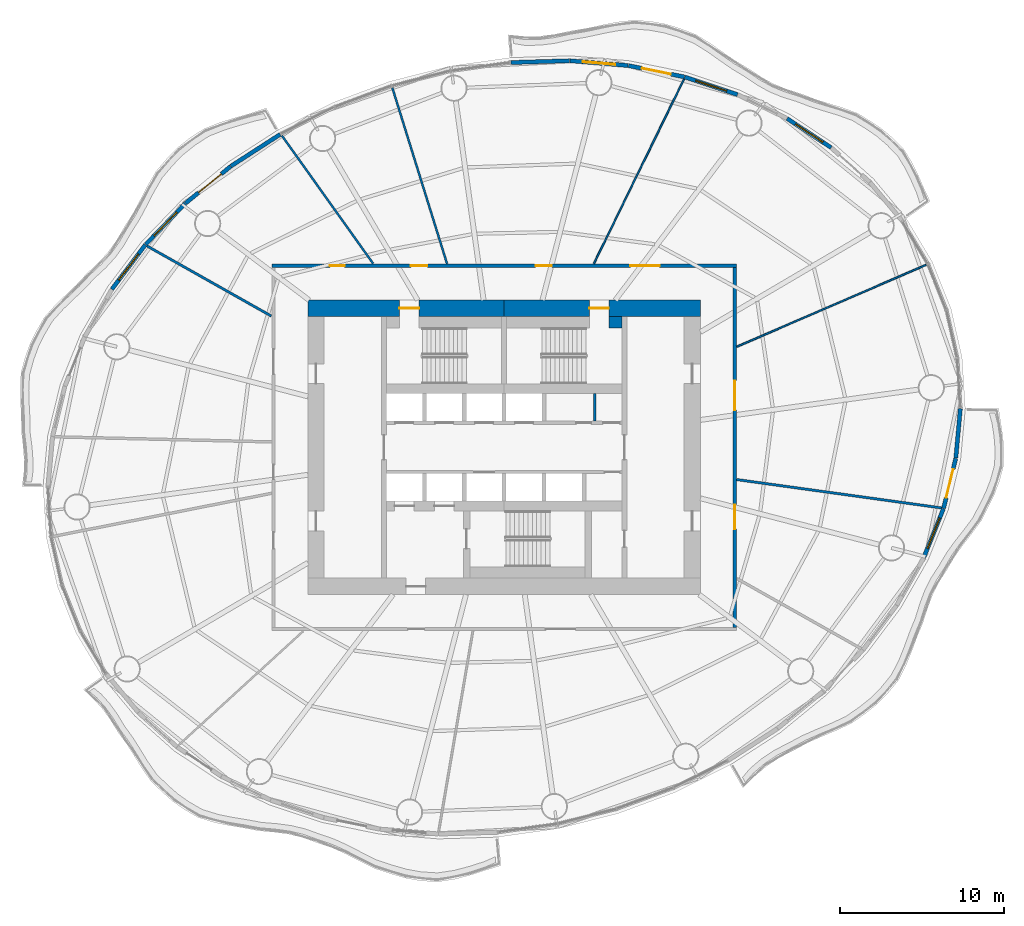
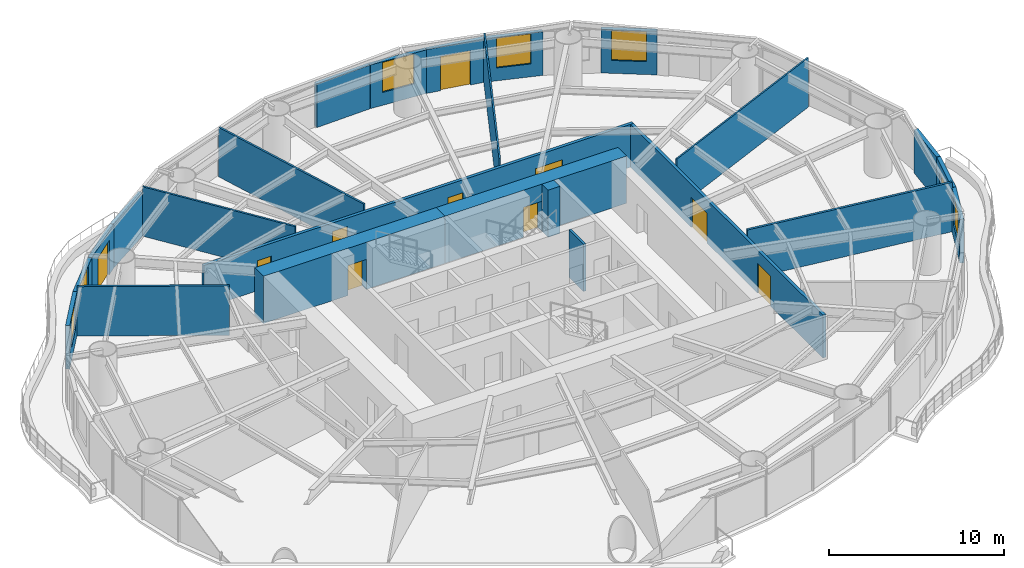
# One storey, part 10 of 16: 24 walls, 11 doors, 6 windows, 17 openings.
"""IFC4 building model written with IfcOpenShell, lengths in metres."""

from ifc_helpers import new_model, si_unit, direction, frame, frame_2d, origin, place, context, subcontext, project, spatial, rectangle, extrude, material, layer, layer_set, type_object, element, fill, save


model = new_model("IFC4")

# Units and contexts
model_context = context("Model", 3, precision=1e-05, world=origin(), true_north=direction((0.0, 1.0)))
body_context = subcontext(model_context, "Body", "Model", "MODEL_VIEW")
ifc_project = project(units=[si_unit("LENGTHUNIT", "METRE"), si_unit("AREAUNIT", "SQUARE_METRE"), si_unit("VOLUMEUNIT", "CUBIC_METRE"), si_unit("PLANEANGLEUNIT", "RADIAN"), si_unit("MASSUNIT", "GRAM", prefix="KILO")], contexts=[model_context])

# Site, building, storey
site_placement = place(None, origin())
site = spatial("IfcSite", under=ifc_project, at=site_placement, CompositionType="ELEMENT")
building_placement = place(site_placement, origin())
building = spatial("IfcBuilding", under=site, at=building_placement, Name="Vermilion Reach Broadcast Tower", CompositionType="ELEMENT")
storey_placement = place(building_placement, frame((0.0, 0.0, 103.0)))
storey = spatial("IfcBuildingStorey", under=building, at=storey_placement, Name="L23", CompositionType="ELEMENT", Elevation=103.0)

# Wall, opening, door
ifc_material_1 = material(Name="Concrete C70", Category="concrete")
ifc_layer_1 = layer(ifc_material_1, 1.0)
ifc_layer_set_1 = layer_set([ifc_layer_1], Name="Core outer wall 1000 mm Concrete C70")
wall_type_1 = type_object("IfcWallType", Name="Core outer wall 1000 mm Concrete C70", PredefinedType="SHEAR", material=ifc_layer_set_1)
wall_1_placement = place(storey_placement, frame((6.0, 8.5, 0.0), z_axis=(0.0, 0.0, 1.0), x_axis=(-1.0, 0.0, 0.0)))
wall_1 = element("IfcWall", 1, at=wall_1_placement, inside=storey, type_object=wall_type_1, Name="L23 core wall onE", PredefinedType="SHEAR", context=body_context, shape_type="SweptSolid", body=[
    extrude(rectangle(XDim=12.0, YDim=1.0, at=frame_2d((6.0, 0.0))), origin(), (0.0, 0.0, 1.0), 3.300048828125),
])
opening_1_placement = place(wall_1_placement, frame((5.60009765625, 0.0, 0.0)))
opening_1 = element("IfcOpeningElement", 2, at=opening_1_placement, cuts=wall_1, Name="Opening D01", PredefinedType="OPENING", context=body_context, shape_type="SweptSolid", body=[
    extrude(rectangle(XDim=1.199951171875, YDim=2.10009765625, at=frame_2d((0.60009765625, 1.050048828125))), frame((0.0, 0.510009765625, 0.0), z_axis=(0.0, -1.0, 0.0), x_axis=(1.0, 0.0, 0.0)), (0.0, 0.0, 1.0), 1.02001953125),
])
ifc_material_2 = material(Name="Painted steel fire door", Category="steel")
door_type_1 = type_object("IfcDoorType", Name="Stair door 1200 x 2100", OperationType="DOUBLE_DOOR_SINGLE_SWING", PredefinedType="NOTDEFINED", material=ifc_material_2)
door_1_placement = place(opening_1_placement, origin())
door_1 = element("IfcDoor", 3, at=door_1_placement, inside=storey, type_object=door_type_1, Name="L23 stair door ST2", OperationType="DOUBLE_DOOR_SINGLE_SWING", OverallHeight=2.10009765625, OverallWidth=1.199951171875, PredefinedType="NOTDEFINED", context=body_context, shape_type="SweptSolid", body=[
    extrude(rectangle(XDim=1.199951171875, YDim=2.10009765625, at=frame_2d((0.60009765625, 1.050048828125))), frame((0.0, 0.02490234375, 0.0), z_axis=(0.0, -1.0, 0.0), x_axis=(1.0, 0.0, 0.0)), (0.0, 0.0, 1.0), 0.050048828125),
])
fill(opening_1, door_1)

wall_2_placement = place(storey_placement, frame((-6.0, 8.5, 0.0), z_axis=(0.0, 0.0, 1.0), x_axis=(-1.0, 0.0, 0.0)))
wall_2 = element("IfcWall", 4, at=wall_2_placement, inside=storey, type_object=wall_type_1, Name="L23 core wall onW", PredefinedType="SHEAR", context=body_context, shape_type="SweptSolid", body=[
    extrude(rectangle(XDim=12.0, YDim=1.0, at=frame_2d((6.0, 0.0))), origin(), (0.0, 0.0, 1.0), 3.300048828125),
])
opening_2_placement = place(wall_2_placement, frame((5.199951171875, 0.0, 0.0)))
opening_2 = element("IfcOpeningElement", 5, at=opening_2_placement, cuts=wall_2, Name="Opening D01", PredefinedType="OPENING", context=body_context, shape_type="SweptSolid", body=[
    extrude(rectangle(XDim=1.199951171875, YDim=2.10009765625, at=frame_2d((0.60009765625, 1.050048828125))), frame((0.0, 0.510009765625, 0.0), z_axis=(0.0, -1.0, 0.0), x_axis=(1.0, 0.0, 0.0)), (0.0, 0.0, 1.0), 1.02001953125),
])
door_2_placement = place(opening_2_placement, origin())
door_2 = element("IfcDoor", 6, at=door_2_placement, inside=storey, type_object=door_type_1, Name="L23 stair door ST1", OperationType="DOUBLE_DOOR_SINGLE_SWING", OverallHeight=2.10009765625, OverallWidth=1.199951171875, PredefinedType="NOTDEFINED", context=body_context, shape_type="SweptSolid", body=[
    extrude(rectangle(XDim=1.199951171875, YDim=2.10009765625, at=frame_2d((0.60009765625, 1.050048828125))), frame((0.0, 0.02490234375, 0.0), z_axis=(0.0, -1.0, 0.0), x_axis=(1.0, 0.0, 0.0)), (0.0, 0.0, 1.0), 0.050048828125),
])
fill(opening_2, door_2)

# Walls
ifc_material_3 = material(Name="Masonry block", Category="masonry")
ifc_layer_2 = layer(ifc_material_3, 0.14990234375)
ifc_layer_set_2 = layer_set([ifc_layer_2], Name="Core partition wall 150 mm Masonry block")
wall_type_2 = type_object("IfcWallType", Name="Core partition wall 150 mm Masonry block", PredefinedType="PARTITIONING", material=ifc_layer_set_2)
wall_3_placement = place(storey_placement, frame((-0.468017578125, 1.60009765625, 0.0), z_axis=(0.0, 0.0, 1.0), x_axis=(0.0, 1.0, 0.0)))
element("IfcWall", 7, at=wall_3_placement, inside=storey, type_object=wall_type_2, Name="L23 core wall prN5532", PredefinedType="PARTITIONING", context=body_context, shape_type="SweptSolid", body=[
    extrude(rectangle(XDim=1.679931640625, YDim=0.14990234375, at=frame_2d((0.83984375, 0.0))), origin(), (0.0, 0.0, 1.0), 3.300048828125),
])
ifc_material_4 = material(Name="Concrete C70", Category="concrete")
ifc_layer_3 = layer(ifc_material_4, 0.699951171875)
ifc_layer_set_3 = layer_set([ifc_layer_3], Name="Core stair wall 700 mm Concrete C70")
wall_type_3 = type_object("IfcWallType", Name="Core stair wall 700 mm Concrete C70", PredefinedType="SHEAR", material=ifc_layer_set_3)
wall_4_placement = place(storey_placement, frame((0.39990234375, 7.64990234375, 0.0), z_axis=(0.0, 0.0, 1.0), x_axis=(1.0, 0.0, 0.0)))
element("IfcWall", 8, at=wall_4_placement, inside=storey, type_object=wall_type_3, Name="L23 core wall l2b", PredefinedType="SHEAR", context=body_context, shape_type="SweptSolid", body=[
    extrude(rectangle(XDim=0.800048828125, YDim=0.699951171875, at=frame_2d((0.39990234375, 0.0))), origin(), (0.0, 0.0, 1.0), 3.300048828125),
])
ifc_material_5 = material(Name="Plasterboard on steel stud", Category="steel")
ifc_layer_4 = layer(ifc_material_5, 0.10009765625)
ifc_layer_set_4 = layer_set([ifc_layer_4], Name="Partition 100 steel stud")
wall_type_4 = type_object("IfcWallType", Name="Partition 100 steel stud", PredefinedType="PARTITIONING", material=ifc_layer_set_4)
wall_5_placement = place(storey_placement, frame((19.793701171875, 11.157958984375, 0.0), z_axis=(0.0, 0.0, 1.0), x_axis=(-0.917806893713, -0.397027084533, 0.0)))
element("IfcWall", 9, at=wall_5_placement, inside=storey, type_object=wall_type_4, Name="Partition 23.01", PredefinedType="PARTITIONING", context=body_context, shape_type="SweptSolid", body=[
    extrude(rectangle(XDim=12.610107421875, YDim=0.10009765625, at=frame_2d((6.30517578125, 0.0))), origin(), (0.0, 0.0, 1.0), 3.449951171875),
])
wall_6_placement = place(storey_placement, frame((4.995849609375, 22.521484375, 0.0), z_axis=(0.0, 0.0, 1.0), x_axis=(-0.438736131728, -0.898615939496, 0.0)))
element("IfcWall", 10, at=wall_6_placement, inside=storey, type_object=wall_type_4, Name="Partition 23.02", PredefinedType="PARTITIONING", context=body_context, shape_type="SweptSolid", body=[
    extrude(rectangle(XDim=12.574462890625, YDim=0.10009765625, at=frame_2d((6.287109375, 0.0))), origin(), (0.0, 0.0, 1.0), 3.449951171875),
])
ifc_material_6 = material(Name="Fire-rated plasterboard on steel stud", Category="steel")
ifc_layer_5 = layer(ifc_material_6, 0.125)
ifc_layer_set_5 = layer_set([ifc_layer_5], Name="Partition 125 fire-rated stud")
wall_type_5 = type_object("IfcWallType", Name="Partition 125 fire-rated stud", PredefinedType="PARTITIONING", material=ifc_layer_set_5)
wall_7_placement = place(storey_placement, frame((-12.83740234375, 21.97900390625, 0.0), z_axis=(0.0, 0.0, 1.0), x_axis=(0.29704241039, -0.954864286917, 0.0)))
element("IfcWall", 11, at=wall_7_placement, inside=storey, type_object=wall_type_5, Name="Partition 23.03", PredefinedType="PARTITIONING", context=body_context, shape_type="SweptSolid", body=[
    extrude(rectangle(XDim=11.26904296875, YDim=0.125, at=frame_2d((5.634521484375, 0.0))), origin(), (0.0, 0.0, 1.0), 3.449951171875),
])
wall_8_placement = place(storey_placement, frame((-19.586181640625, 19.053466796875, 0.0), z_axis=(0.0, 0.0, 1.0), x_axis=(0.580586141234, -0.814198828669, 0.0)))
element("IfcWall", 12, at=wall_8_placement, inside=storey, type_object=wall_type_5, Name="Partition 23.04", PredefinedType="PARTITIONING", context=body_context, shape_type="SweptSolid", body=[
    extrude(rectangle(XDim=9.60107421875, YDim=0.125, at=frame_2d((4.800537109375, 0.0))), origin(), (0.0, 0.0, 1.0), 3.449951171875),
])
ifc_material_7 = material(Name="Lightweight concrete block, plastered", Category="concrete")
ifc_layer_6 = layer(ifc_material_7, 0.14990234375)
ifc_layer_set_6 = layer_set([ifc_layer_6], Name="Partition 150 lightweight block")
wall_type_6 = type_object("IfcWallType", Name="Partition 150 lightweight block", PredefinedType="PARTITIONING", material=ifc_layer_set_6)
wall_9_placement = place(storey_placement, frame((-27.831298828125, 12.3095703125, 0.0), z_axis=(0.0, 0.0, 1.0), x_axis=(0.871068786754, -0.491161041556, 0.0)))
element("IfcWall", 13, at=wall_9_placement, inside=storey, type_object=wall_type_6, Name="Partition 23.05", PredefinedType="PARTITIONING", context=body_context, shape_type="SweptSolid", body=[
    extrude(rectangle(XDim=8.718505859375, YDim=0.14990234375, at=frame_2d((4.359375, 0.0))), origin(), (0.0, 0.0, 1.0), 3.449951171875),
])
wall_10_placement = place(storey_placement, frame((20.734619140625, -3.70263671875, 0.0), z_axis=(0.0, 0.0, 1.0), x_axis=(-0.990544821397, 0.13718949232, 0.0)))
element("IfcWall", 14, at=wall_10_placement, inside=storey, type_object=wall_type_6, Name="Partition 23.11", PredefinedType="PARTITIONING", context=body_context, shape_type="SweptSolid", body=[
    extrude(rectangle(XDim=12.64404296875, YDim=0.14990234375, at=frame_2d((6.322021484375, 0.0))), origin(), (0.0, 0.0, 1.0), 3.449951171875),
])

# Wall, opening, window
ifc_material_8 = material(Name="Terracotta rainscreen cladding", Category="masonry")
ifc_layer_7 = layer(ifc_material_8, 0.25)
ifc_layer_set_7 = layer_set([ifc_layer_7], Name="Terracotta rainscreen wall 250")
wall_type_7 = type_object("IfcWallType", Name="Terracotta rainscreen wall 250", PredefinedType="SOLIDWALL", material=ifc_layer_set_7)
wall_11_placement = place(storey_placement, frame((13.98193359375, 18.321044921875, 0.0), z_axis=(0.0, 0.0, 1.0), x_axis=(-0.833643452757, 0.552302990827, 0.0)))
wall_11 = element("IfcWall", 15, at=wall_11_placement, inside=storey, type_object=wall_type_7, Name="External wall L23 04", PredefinedType="SOLIDWALL", context=body_context, shape_type="SweptSolid", body=[
    extrude(rectangle(XDim=3.222900390625, YDim=0.25, at=frame_2d((1.611328125, 0.0))), origin(), (0.0, 0.0, 1.0), 3.050048828125),
])
opening_3_placement = place(wall_11_placement, frame((0.611328125, 0.0, 0.89990234375)))
opening_3 = element("IfcOpeningElement", 16, at=opening_3_placement, cuts=wall_11, Name="Opening W03", PredefinedType="OPENING", context=body_context, shape_type="SweptSolid", body=[
    extrude(rectangle(XDim=2.0, YDim=2.10009765625, at=frame_2d((1.0, 1.050048828125))), frame((0.0, 0.135009765625, 0.0), z_axis=(0.0, -1.0, 0.0), x_axis=(1.0, 0.0, 0.0)), (0.0, 0.0, 1.0), 0.27001953125),
])
ifc_material_9 = material(Name="Low-e laminated clear glass in aluminium frame", Category="aluminium")
window_type = type_object("IfcWindowType", Name="Punched window 2000 x 2100 sill 900", PartitioningType="SINGLE_PANEL", PredefinedType="WINDOW", material=ifc_material_9)
window_1_placement = place(opening_3_placement, origin())
window_1 = element("IfcWindow", 17, at=window_1_placement, inside=storey, type_object=window_type, Name="Window L23 04", OverallHeight=2.10009765625, OverallWidth=2.0, PartitioningType="SINGLE_PANEL", PredefinedType="WINDOW", context=body_context, shape_type="SweptSolid", body=[
    extrude(rectangle(XDim=2.0, YDim=2.10009765625, at=frame_2d((1.0, 1.050048828125))), frame((0.0, 0.030029296875, 0.0), z_axis=(0.0, -1.0, 0.0), x_axis=(1.0, 0.0, 0.0)), (0.0, 0.0, 1.0), 0.06005859375),
])
fill(opening_3, window_1)

wall_12_placement = place(storey_placement, frame((8.26806640625, 21.563232421875, 0.0), z_axis=(0.0, 0.0, 1.0), x_axis=(-0.948762176605, 0.315991031903, 0.0)))
wall_12 = element("IfcWall", 18, at=wall_12_placement, inside=storey, type_object=wall_type_7, Name="External wall L23 06", PredefinedType="SOLIDWALL", context=body_context, shape_type="SweptSolid", body=[
    extrude(rectangle(XDim=3.4033203125, YDim=0.25, at=frame_2d((1.70166015625, 0.0))), origin(), (0.0, 0.0, 1.0), 3.050048828125),
])
opening_4_placement = place(wall_12_placement, frame((0.70166015625, 0.0, 0.89990234375)))
opening_4 = element("IfcOpeningElement", 19, at=opening_4_placement, cuts=wall_12, Name="Opening W03", PredefinedType="OPENING", context=body_context, shape_type="SweptSolid", body=[
    extrude(rectangle(XDim=2.0, YDim=2.10009765625, at=frame_2d((1.0, 1.050048828125))), frame((0.0, 0.135009765625, 0.0), z_axis=(0.0, -1.0, 0.0), x_axis=(1.0, 0.0, 0.0)), (0.0, 0.0, 1.0), 0.27001953125),
])
window_2_placement = place(opening_4_placement, origin())
window_2 = element("IfcWindow", 20, at=window_2_placement, inside=storey, type_object=window_type, Name="Window L23 06", OverallHeight=2.10009765625, OverallWidth=2.0, PartitioningType="SINGLE_PANEL", PredefinedType="WINDOW", context=body_context, shape_type="SweptSolid", body=[
    extrude(rectangle(XDim=2.0, YDim=2.10009765625, at=frame_2d((1.0, 1.050048828125))), frame((0.0, 0.030029296875, 0.0), z_axis=(0.0, -1.0, 0.0), x_axis=(1.0, 0.0, 0.0)), (0.0, 0.0, 1.0), 0.06005859375),
])
fill(opening_4, window_2)

# Wall, opening, door
wall_13_placement = place(storey_placement, frame((5.0166015625, 22.64453125, 0.0), z_axis=(0.0, 0.0, 1.0), x_axis=(-0.980191158743, 0.198053761191, 0.0)))
wall_13 = element("IfcWall", 21, at=wall_13_placement, inside=storey, type_object=wall_type_7, Name="External wall L23 07", PredefinedType="SOLIDWALL", context=body_context, shape_type="SweptSolid", body=[
    extrude(rectangle(XDim=3.488525390625, YDim=0.25, at=frame_2d((1.744140625, 0.0))), origin(), (0.0, 0.0, 1.0), 3.050048828125),
])
opening_5_placement = place(wall_13_placement, frame((0.843994140625, 0.0, 0.0)))
opening_5 = element("IfcOpeningElement", 22, at=opening_5_placement, cuts=wall_13, Name="Opening D70", PredefinedType="OPENING", context=body_context, shape_type="SweptSolid", body=[
    extrude(rectangle(XDim=1.800048828125, YDim=2.39990234375, at=frame_2d((0.89990234375, 1.199951171875))), frame((0.0, 0.135009765625, 0.0), z_axis=(0.0, -1.0, 0.0), x_axis=(1.0, 0.0, 0.0)), (0.0, 0.0, 1.0), 0.27001953125),
])
ifc_material_10 = material(Name="Low-e laminated clear glass in aluminium frame", Category="aluminium")
door_type_2 = type_object("IfcDoorType", Name="Balcony sliding door 1800 x 2400", OperationType="DOUBLE_DOOR_SLIDING", PredefinedType="DOOR", material=ifc_material_10)
door_3_placement = place(opening_5_placement, origin())
door_3 = element("IfcDoor", 23, at=door_3_placement, inside=storey, type_object=door_type_2, Name="Balcony door L23 run 02", OperationType="DOUBLE_DOOR_SLIDING", OverallHeight=2.39990234375, OverallWidth=1.800048828125, PredefinedType="DOOR", context=body_context, shape_type="SweptSolid", body=[
    extrude(rectangle(XDim=1.800048828125, YDim=2.39990234375, at=frame_2d((0.89990234375, 1.199951171875))), frame((0.0, 0.02490234375, 0.0), z_axis=(0.0, -1.0, 0.0), x_axis=(1.0, 0.0, 0.0)), (0.0, 0.0, 1.0), 0.050048828125),
])
fill(opening_5, door_3)

# Wall, opening, window
wall_14_placement = place(storey_placement, frame((1.57470703125, 23.338623046875, 0.0), z_axis=(0.0, 0.0, 1.0), x_axis=(-0.996602699612, 0.082359329318, 0.0)))
wall_14 = element("IfcWall", 24, at=wall_14_placement, inside=storey, type_object=wall_type_7, Name="External wall L23 08", PredefinedType="SOLIDWALL", context=body_context, shape_type="SweptSolid", body=[
    extrude(rectangle(XDim=3.563232421875, YDim=0.25, at=frame_2d((1.78173828125, 0.0))), origin(), (0.0, 0.0, 1.0), 3.050048828125),
])
opening_6_placement = place(wall_14_placement, frame((0.781494140625, 0.0, 0.89990234375)))
opening_6 = element("IfcOpeningElement", 25, at=opening_6_placement, cuts=wall_14, Name="Opening W03", PredefinedType="OPENING", context=body_context, shape_type="SweptSolid", body=[
    extrude(rectangle(XDim=2.0, YDim=2.10009765625, at=frame_2d((1.0, 1.050048828125))), frame((0.0, 0.135009765625, 0.0), z_axis=(0.0, -1.0, 0.0), x_axis=(1.0, 0.0, 0.0)), (0.0, 0.0, 1.0), 0.27001953125),
])
window_3_placement = place(opening_6_placement, origin())
window_3 = element("IfcWindow", 26, at=window_3_placement, inside=storey, type_object=window_type, Name="Window L23 08", OverallHeight=2.10009765625, OverallWidth=2.0, PartitioningType="SINGLE_PANEL", PredefinedType="WINDOW", context=body_context, shape_type="SweptSolid", body=[
    extrude(rectangle(XDim=2.0, YDim=2.10009765625, at=frame_2d((1.0, 1.050048828125))), frame((0.0, 0.030029296875, 0.0), z_axis=(0.0, -1.0, 0.0), x_axis=(1.0, 0.0, 0.0)), (0.0, 0.0, 1.0), 0.06005859375),
])
fill(opening_6, window_3)

# Walls
wall_15_placement = place(storey_placement, frame((-1.998291015625, 23.632568359375, 0.0), z_axis=(0.0, 0.0, 1.0), x_axis=(-0.999541179145, -0.030289126641, 0.0)))
element("IfcWall", 27, at=wall_15_placement, inside=storey, type_object=wall_type_7, Name="External wall L23 09", PredefinedType="SOLIDWALL", context=body_context, shape_type="SweptSolid", body=[
    extrude(rectangle(XDim=3.578857421875, YDim=0.25, at=frame_2d((1.78955078125, 0.0))), origin(), (0.0, 0.0, 1.0), 3.050048828125),
])
wall_16_placement = place(storey_placement, frame((-19.694091796875, 19.132080078125, 0.0), z_axis=(0.0, 0.0, 1.0), x_axis=(-0.840361806694, -0.542025860869, 0.0)))
element("IfcWall", 28, at=wall_16_placement, inside=storey, type_object=wall_type_7, Name="External wall L23 14", PredefinedType="SOLIDWALL", context=body_context, shape_type="SweptSolid", body=[
    extrude(rectangle(XDim=3.57861328125, YDim=0.25, at=frame_2d((1.789306640625, 0.0))), origin(), (0.0, 0.0, 1.0), 3.050048828125),
])

# Wall, opening, door
wall_17_placement = place(storey_placement, frame((-22.719482421875, 17.17919921875, 0.0), z_axis=(0.0, 0.0, 1.0), x_axis=(-0.774030565645, -0.633148231813, 0.0)))
wall_17 = element("IfcWall", 29, at=wall_17_placement, inside=storey, type_object=wall_type_7, Name="External wall L23 15", PredefinedType="SOLIDWALL", context=body_context, shape_type="SweptSolid", body=[
    extrude(rectangle(XDim=3.56298828125, YDim=0.25, at=frame_2d((1.781494140625, 0.0))), origin(), (0.0, 0.0, 1.0), 3.050048828125),
])
opening_7_placement = place(wall_17_placement, frame((0.73193359375, 0.0, 0.0)))
opening_7 = element("IfcOpeningElement", 30, at=opening_7_placement, cuts=wall_17, Name="Opening D70", PredefinedType="OPENING", context=body_context, shape_type="SweptSolid", body=[
    extrude(rectangle(XDim=1.800048828125, YDim=2.39990234375, at=frame_2d((0.89990234375, 1.199951171875))), frame((0.0, 0.135009765625, 0.0), z_axis=(0.0, -1.0, 0.0), x_axis=(1.0, 0.0, 0.0)), (0.0, 0.0, 1.0), 0.27001953125),
])
door_4_placement = place(opening_7_placement, origin())
door_4 = element("IfcDoor", 31, at=door_4_placement, inside=storey, type_object=door_type_2, Name="Balcony door L23 run 04", OperationType="DOUBLE_DOOR_SLIDING", OverallHeight=2.39990234375, OverallWidth=1.800048828125, PredefinedType="DOOR", context=body_context, shape_type="SweptSolid", body=[
    extrude(rectangle(XDim=1.800048828125, YDim=2.39990234375, at=frame_2d((0.89990234375, 1.199951171875))), frame((0.0, 0.02490234375, 0.0), z_axis=(0.0, -1.0, 0.0), x_axis=(1.0, 0.0, 0.0)), (0.0, 0.0, 1.0), 0.050048828125),
])
fill(opening_7, door_4)

# Wall, opening, window
wall_18_placement = place(storey_placement, frame((-25.493896484375, 14.907958984375, 0.0), z_axis=(0.0, 0.0, 1.0), x_axis=(-0.694896677822, -0.719109593283, 0.0)))
wall_18 = element("IfcWall", 32, at=wall_18_placement, inside=storey, type_object=wall_type_7, Name="External wall L23 16", PredefinedType="SOLIDWALL", context=body_context, shape_type="SweptSolid", body=[
    extrude(rectangle(XDim=3.48876953125, YDim=0.25, at=frame_2d((1.744384765625, 0.0))), origin(), (0.0, 0.0, 1.0), 3.050048828125),
])
opening_8_placement = place(wall_18_placement, frame((0.744384765625, 0.0, 0.89990234375)))
opening_8 = element("IfcOpeningElement", 33, at=opening_8_placement, cuts=wall_18, Name="Opening W03", PredefinedType="OPENING", context=body_context, shape_type="SweptSolid", body=[
    extrude(rectangle(XDim=2.0, YDim=2.10009765625, at=frame_2d((1.0, 1.050048828125))), frame((0.0, 0.135009765625, 0.0), z_axis=(0.0, -1.0, 0.0), x_axis=(1.0, 0.0, 0.0)), (0.0, 0.0, 1.0), 0.27001953125),
])
window_4_placement = place(opening_8_placement, origin())
window_4 = element("IfcWindow", 34, at=window_4_placement, inside=storey, type_object=window_type, Name="Window L23 16", OverallHeight=2.10009765625, OverallWidth=2.0, PartitioningType="SINGLE_PANEL", PredefinedType="WINDOW", context=body_context, shape_type="SweptSolid", body=[
    extrude(rectangle(XDim=2.0, YDim=2.10009765625, at=frame_2d((1.0, 1.050048828125))), frame((0.0, 0.030029296875, 0.0), z_axis=(0.0, -1.0, 0.0), x_axis=(1.0, 0.0, 0.0)), (0.0, 0.0, 1.0), 0.06005859375),
])
fill(opening_8, window_4)

wall_19_placement = place(storey_placement, frame((-27.93310546875, 12.381591796875, 0.0), z_axis=(0.0, 0.0, 1.0), x_axis=(-0.602098174714, -0.798422061322, 0.0)))
wall_19 = element("IfcWall", 35, at=wall_19_placement, inside=storey, type_object=wall_type_7, Name="External wall L23 17", PredefinedType="SOLIDWALL", context=body_context, shape_type="SweptSolid", body=[
    extrude(rectangle(XDim=3.403564453125, YDim=0.25, at=frame_2d((1.70166015625, 0.0))), origin(), (0.0, 0.0, 1.0), 3.050048828125),
])
opening_9_placement = place(wall_19_placement, frame((0.70166015625, 0.0, 0.89990234375)))
opening_9 = element("IfcOpeningElement", 36, at=opening_9_placement, cuts=wall_19, Name="Opening W03", PredefinedType="OPENING", context=body_context, shape_type="SweptSolid", body=[
    extrude(rectangle(XDim=2.0, YDim=2.10009765625, at=frame_2d((1.0, 1.050048828125))), frame((0.0, 0.135009765625, 0.0), z_axis=(0.0, -1.0, 0.0), x_axis=(1.0, 0.0, 0.0)), (0.0, 0.0, 1.0), 0.27001953125),
])
window_5_placement = place(opening_9_placement, origin())
window_5 = element("IfcWindow", 37, at=window_5_placement, inside=storey, type_object=window_type, Name="Window L23 17", OverallHeight=2.10009765625, OverallWidth=2.0, PartitioningType="SINGLE_PANEL", PredefinedType="WINDOW", context=body_context, shape_type="SweptSolid", body=[
    extrude(rectangle(XDim=2.0, YDim=2.10009765625, at=frame_2d((1.0, 1.050048828125))), frame((0.0, 0.030029296875, 0.0), z_axis=(0.0, -1.0, 0.0), x_axis=(1.0, 0.0, 0.0)), (0.0, 0.0, 1.0), 0.06005859375),
])
fill(opening_9, window_5)

wall_20_placement = place(storey_placement, frame((19.64599609375, -6.742919921875, 0.0), z_axis=(0.0, 0.0, 1.0), x_axis=(0.373166307387, 0.927764467433, 0.0)))
wall_20 = element("IfcWall", 38, at=wall_20_placement, inside=storey, type_object=wall_type_7, Name="External wall L23 43", PredefinedType="SOLIDWALL", context=body_context, shape_type="SweptSolid", body=[
    extrude(rectangle(XDim=3.222900390625, YDim=0.25, at=frame_2d((1.611328125, 0.0))), origin(), (0.0, 0.0, 1.0), 3.050048828125),
])
opening_10_placement = place(wall_20_placement, frame((0.611328125, 0.0, 0.89990234375)))
opening_10 = element("IfcOpeningElement", 39, at=opening_10_placement, cuts=wall_20, Name="Opening W03", PredefinedType="OPENING", context=body_context, shape_type="SweptSolid", body=[
    extrude(rectangle(XDim=2.0, YDim=2.10009765625, at=frame_2d((1.0, 1.050048828125))), frame((0.0, 0.135009765625, 0.0), z_axis=(0.0, -1.0, 0.0), x_axis=(1.0, 0.0, 0.0)), (0.0, 0.0, 1.0), 0.27001953125),
])
window_6_placement = place(opening_10_placement, origin())
window_6 = element("IfcWindow", 40, at=window_6_placement, inside=storey, type_object=window_type, Name="Window L23 43", OverallHeight=2.10009765625, OverallWidth=2.0, PartitioningType="SINGLE_PANEL", PredefinedType="WINDOW", context=body_context, shape_type="SweptSolid", body=[
    extrude(rectangle(XDim=2.0, YDim=2.10009765625, at=frame_2d((1.0, 1.050048828125))), frame((0.0, 0.030029296875, 0.0), z_axis=(0.0, -1.0, 0.0), x_axis=(1.0, 0.0, 0.0)), (0.0, 0.0, 1.0), 0.06005859375),
])
fill(opening_10, window_6)

# Wall, opening, door
wall_21_placement = place(storey_placement, frame((20.856689453125, -3.728271484375, 0.0), z_axis=(0.0, 0.0, 1.0), x_axis=(0.237849267936, 0.971302077493, 0.0)))
wall_21 = element("IfcWall", 41, at=wall_21_placement, inside=storey, type_object=wall_type_7, Name="External wall L23 44", PredefinedType="SOLIDWALL", context=body_context, shape_type="SweptSolid", body=[
    extrude(rectangle(XDim=3.139892578125, YDim=0.25, at=frame_2d((1.56982421875, 0.0))), origin(), (0.0, 0.0, 1.0), 3.050048828125),
])
opening_11_placement = place(wall_21_placement, frame((0.669921875, 0.0, 0.0)))
opening_11 = element("IfcOpeningElement", 42, at=opening_11_placement, cuts=wall_21, Name="Opening D70", PredefinedType="OPENING", context=body_context, shape_type="SweptSolid", body=[
    extrude(rectangle(XDim=1.800048828125, YDim=2.39990234375, at=frame_2d((0.89990234375, 1.199951171875))), frame((0.0, 0.135009765625, 0.0), z_axis=(0.0, -1.0, 0.0), x_axis=(1.0, 0.0, 0.0)), (0.0, 0.0, 1.0), 0.27001953125),
])
door_5_placement = place(opening_11_placement, origin())
door_5 = element("IfcDoor", 43, at=door_5_placement, inside=storey, type_object=door_type_2, Name="Balcony door L23 run 11", OperationType="DOUBLE_DOOR_SLIDING", OverallHeight=2.39990234375, OverallWidth=1.800048828125, PredefinedType="DOOR", context=body_context, shape_type="SweptSolid", body=[
    extrude(rectangle(XDim=1.800048828125, YDim=2.39990234375, at=frame_2d((0.89990234375, 1.199951171875))), frame((0.0, 0.02490234375, 0.0), z_axis=(0.0, -1.0, 0.0), x_axis=(1.0, 0.0, 0.0)), (0.0, 0.0, 1.0), 0.050048828125),
])
fill(opening_11, door_5)

# Wall
wall_22_placement = place(storey_placement, frame((21.60791015625, -0.65234375, 0.0), z_axis=(0.0, 0.0, 1.0), x_axis=(0.09099355154, 0.995851481687, 0.0)))
element("IfcWall", 44, at=wall_22_placement, inside=storey, type_object=wall_type_7, Name="External wall L23 45", PredefinedType="SOLIDWALL", context=body_context, shape_type="SweptSolid", body=[
    extrude(rectangle(XDim=3.029052734375, YDim=0.25, at=frame_2d((1.5146484375, 0.0))), origin(), (0.0, 0.0, 1.0), 3.050048828125),
])

# Wall, openings, doors
ifc_material_11 = material(Name="Fire-rated gypsum board partition")
ifc_layer_8 = layer(ifc_material_11, 0.199951171875)
ifc_layer_set_8 = layer_set([ifc_layer_8], Name="Under girder: Corridor wall 200 fire-rated")
wall_type_8 = type_object("IfcWallType", Name="Under girder: Corridor wall 200 fire-rated", PredefinedType="PARTITIONING", material=ifc_layer_set_8)
wall_23_placement = place(storey_placement, frame((-20.199951171875, 11.10009765625, 0.0), z_axis=(0.0, 0.0, 1.0), x_axis=(1.0, 0.0, 0.0)))
wall_23 = element("IfcWall", 45, at=wall_23_placement, inside=storey, type_object=wall_type_8, Name="Corridor wall 23.N", PredefinedType="PARTITIONING", context=body_context, shape_type="SweptSolid", body=[
    extrude(rectangle(XDim=28.39990234375, YDim=0.199951171875, at=frame_2d((14.199951171875, 0.0))), origin(), (0.0, 0.0, 1.0), 3.0),
])
opening_12_placement = place(wall_23_placement, frame((21.90771484375, 0.0, 0.0)))
opening_12 = element("IfcOpeningElement", 46, at=opening_12_placement, cuts=wall_23, Name="Opening D21", PredefinedType="OPENING", context=body_context, shape_type="SweptSolid", body=[
    extrude(rectangle(XDim=1.800048828125, YDim=2.10009765625, at=frame_2d((0.89990234375, 1.050048828125))), frame((0.0, 0.10986328125, 0.0), z_axis=(0.0, -1.0, 0.0), x_axis=(1.0, 0.0, 0.0)), (0.0, 0.0, 1.0), 0.219970703125),
])
opening_13_placement = place(wall_23_placement, frame((16.11767578125, 0.0, 0.0)))
opening_13 = element("IfcOpeningElement", 47, at=opening_13_placement, cuts=wall_23, Name="Opening D20", PredefinedType="OPENING", context=body_context, shape_type="SweptSolid", body=[
    extrude(rectangle(XDim=1.0, YDim=2.10009765625, at=frame_2d((0.5, 1.050048828125))), frame((0.0, 0.10986328125, 0.0), z_axis=(0.0, -1.0, 0.0), x_axis=(1.0, 0.0, 0.0)), (0.0, 0.0, 1.0), 0.219970703125),
])
opening_14_placement = place(wall_23_placement, frame((8.500244140625, 0.0, 0.0)))
opening_14 = element("IfcOpeningElement", 48, at=opening_14_placement, cuts=wall_23, Name="Opening D23", PredefinedType="OPENING", context=body_context, shape_type="SweptSolid", body=[
    extrude(rectangle(XDim=1.0, YDim=2.39990234375, at=frame_2d((0.5, 1.199951171875))), frame((0.0, 0.10986328125, 0.0), z_axis=(0.0, -1.0, 0.0), x_axis=(1.0, 0.0, 0.0)), (0.0, 0.0, 1.0), 0.219970703125),
])
opening_15_placement = place(wall_23_placement, frame((3.549560546875, 0.0, 0.0)))
opening_15 = element("IfcOpeningElement", 49, at=opening_15_placement, cuts=wall_23, Name="Opening D22", PredefinedType="OPENING", context=body_context, shape_type="SweptSolid", body=[
    extrude(rectangle(XDim=0.89990234375, YDim=2.10009765625, at=frame_2d((0.449951171875, 1.050048828125))), frame((0.0, 0.10986328125, 0.0), z_axis=(0.0, -1.0, 0.0), x_axis=(1.0, 0.0, 0.0)), (0.0, 0.0, 1.0), 0.219970703125),
])
ifc_material_12 = material(Name="Timber door leaf", Category="wood")
door_type_3 = type_object("IfcDoorType", Name="Door pair 1800x2100", OperationType="NOTDEFINED", PredefinedType="DOOR", material=ifc_material_12)
door_6_placement = place(opening_12_placement, origin())
door_6 = element("IfcDoor", 50, at=door_6_placement, inside=storey, type_object=door_type_3, Name="Door 23.01", OperationType="DOUBLE_DOOR_SINGLE_SWING", OverallHeight=2.10009765625, OverallWidth=1.800048828125, PredefinedType="DOOR", context=body_context, shape_type="SweptSolid", body=[
    extrude(rectangle(XDim=1.800048828125, YDim=2.10009765625, at=frame_2d((0.89990234375, 1.050048828125))), frame((0.0, 0.02490234375, 0.0), z_axis=(0.0, -1.0, 0.0), x_axis=(1.0, 0.0, 0.0)), (0.0, 0.0, 1.0), 0.050048828125),
])
fill(opening_12, door_6)
ifc_material_13 = material(Name="Timber door leaf", Category="wood")
door_type_4 = type_object("IfcDoorType", Name="Door single 1000x2100", OperationType="NOTDEFINED", PredefinedType="DOOR", material=ifc_material_13)
door_7_placement = place(opening_13_placement, origin())
door_7 = element("IfcDoor", 51, at=door_7_placement, inside=storey, type_object=door_type_4, Name="Door 23.02", OperationType="SINGLE_SWING_RIGHT", OverallHeight=2.10009765625, OverallWidth=1.0, PredefinedType="DOOR", context=body_context, shape_type="SweptSolid", body=[
    extrude(rectangle(XDim=1.0, YDim=2.10009765625, at=frame_2d((0.5, 1.050048828125))), frame((0.0, 0.02490234375, 0.0), z_axis=(0.0, -1.0, 0.0), x_axis=(1.0, 0.0, 0.0)), (0.0, 0.0, 1.0), 0.050048828125),
])
fill(opening_13, door_7)
ifc_material_14 = material(Name="Veneered timber door leaf", Category="wood")
door_type_5 = type_object("IfcDoorType", Name="Door single 1000x2400", OperationType="NOTDEFINED", PredefinedType="DOOR", material=ifc_material_14)
door_8_placement = place(opening_14_placement, origin())
door_8 = element("IfcDoor", 52, at=door_8_placement, inside=storey, type_object=door_type_5, Name="Door 23.03", OperationType="SINGLE_SWING_RIGHT", OverallHeight=2.39990234375, OverallWidth=1.0, PredefinedType="DOOR", context=body_context, shape_type="SweptSolid", body=[
    extrude(rectangle(XDim=1.0, YDim=2.39990234375, at=frame_2d((0.5, 1.199951171875))), frame((0.0, 0.02490234375, 0.0), z_axis=(0.0, -1.0, 0.0), x_axis=(1.0, 0.0, 0.0)), (0.0, 0.0, 1.0), 0.050048828125),
])
fill(opening_14, door_8)
ifc_material_15 = material(Name="Timber door leaf", Category="wood")
door_type_6 = type_object("IfcDoorType", Name="Door single 900x2100", OperationType="NOTDEFINED", PredefinedType="DOOR", material=ifc_material_15)
door_9_placement = place(opening_15_placement, origin())
door_9 = element("IfcDoor", 53, at=door_9_placement, inside=storey, type_object=door_type_6, Name="Door 23.04", OperationType="SINGLE_SWING_RIGHT", OverallHeight=2.10009765625, OverallWidth=0.89990234375, PredefinedType="DOOR", context=body_context, shape_type="SweptSolid", body=[
    extrude(rectangle(XDim=0.89990234375, YDim=2.10009765625, at=frame_2d((0.449951171875, 1.050048828125))), frame((0.0, 0.02490234375, 0.0), z_axis=(0.0, -1.0, 0.0), x_axis=(1.0, 0.0, 0.0)), (0.0, 0.0, 1.0), 0.050048828125),
])
fill(opening_15, door_9)

wall_24_placement = place(storey_placement, frame((8.10009765625, 11.0, 0.0), z_axis=(0.0, 0.0, 1.0), x_axis=(0.0, -1.0, 0.0)))
wall_24 = element("IfcWall", 54, at=wall_24_placement, inside=storey, type_object=wall_type_8, Name="Corridor wall 23.E", PredefinedType="PARTITIONING", context=body_context, shape_type="SweptSolid", body=[
    extrude(rectangle(XDim=22.0, YDim=0.199951171875, at=frame_2d((11.0, 0.0))), origin(), (0.0, 0.0, 1.0), 3.0),
])
opening_16_placement = place(wall_24_placement, frame((14.49853515625, 0.0, 0.0)))
opening_16 = element("IfcOpeningElement", 55, at=opening_16_placement, cuts=wall_24, Name="Opening D24", PredefinedType="OPENING", context=body_context, shape_type="SweptSolid", body=[
    extrude(rectangle(XDim=1.5, YDim=2.10009765625, at=frame_2d((0.75, 1.050048828125))), frame((0.0, 0.10986328125, 0.0), z_axis=(0.0, -1.0, 0.0), x_axis=(1.0, 0.0, 0.0)), (0.0, 0.0, 1.0), 0.219970703125),
])
opening_17_placement = place(wall_24_placement, frame((6.920166015625, 0.0, 0.0)))
opening_17 = element("IfcOpeningElement", 56, at=opening_17_placement, cuts=wall_24, Name="Opening D21", PredefinedType="OPENING", context=body_context, shape_type="SweptSolid", body=[
    extrude(rectangle(XDim=1.800048828125, YDim=2.10009765625, at=frame_2d((0.89990234375, 1.050048828125))), frame((0.0, 0.10986328125, 0.0), z_axis=(0.0, -1.0, 0.0), x_axis=(1.0, 0.0, 0.0)), (0.0, 0.0, 1.0), 0.219970703125),
])
ifc_material_16 = material(Name="Timber door leaf", Category="wood")
door_type_7 = type_object("IfcDoorType", Name="Door pair 1500x2100", OperationType="NOTDEFINED", PredefinedType="DOOR", material=ifc_material_16)
door_10_placement = place(opening_16_placement, origin())
door_10 = element("IfcDoor", 57, at=door_10_placement, inside=storey, type_object=door_type_7, Name="Door 23.10", OperationType="DOUBLE_DOOR_SINGLE_SWING", OverallHeight=2.10009765625, OverallWidth=1.5, PredefinedType="DOOR", context=body_context, shape_type="SweptSolid", body=[
    extrude(rectangle(XDim=1.5, YDim=2.10009765625, at=frame_2d((0.75, 1.050048828125))), frame((0.0, 0.02490234375, 0.0), z_axis=(0.0, -1.0, 0.0), x_axis=(1.0, 0.0, 0.0)), (0.0, 0.0, 1.0), 0.050048828125),
])
fill(opening_16, door_10)
door_11_placement = place(opening_17_placement, origin())
door_11 = element("IfcDoor", 58, at=door_11_placement, inside=storey, type_object=door_type_3, Name="Door 23.11", OperationType="DOUBLE_DOOR_SINGLE_SWING", OverallHeight=2.10009765625, OverallWidth=1.800048828125, PredefinedType="DOOR", context=body_context, shape_type="SweptSolid", body=[
    extrude(rectangle(XDim=1.800048828125, YDim=2.10009765625, at=frame_2d((0.89990234375, 1.050048828125))), frame((0.0, 0.02490234375, 0.0), z_axis=(0.0, -1.0, 0.0), x_axis=(1.0, 0.0, 0.0)), (0.0, 0.0, 1.0), 0.050048828125),
])
fill(opening_17, door_11)

save(model, "model.ifc")
